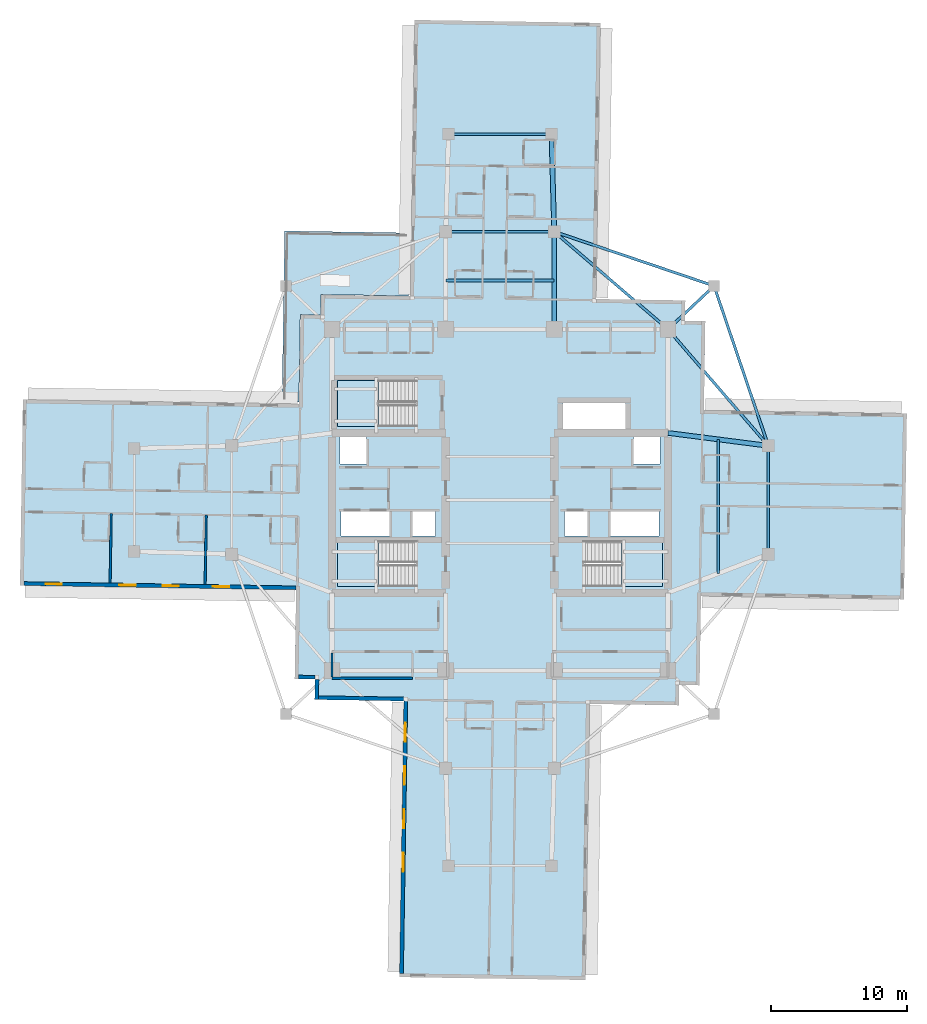
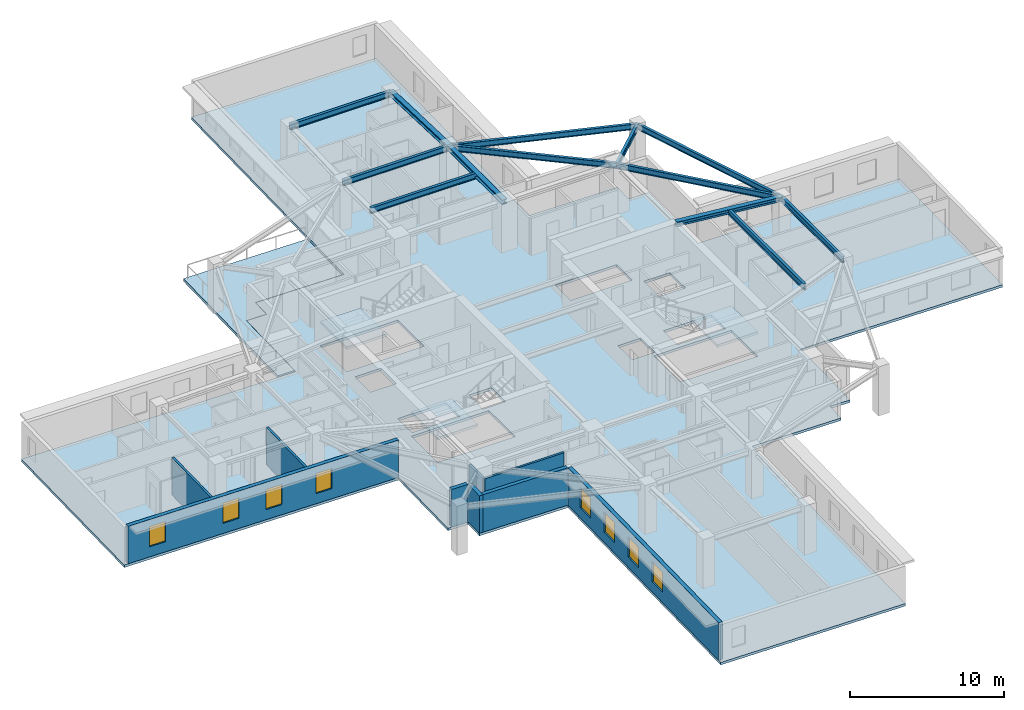
# One storey, part 2 of 13: 13 beams, 9 walls, 8 windows, 5 slabs, 8 openings, 3 elements without a shape of their own.
"""IFC4 building model written with IfcOpenShell, lengths in metres."""

from ifc_helpers import new_model, si_unit, direction, frame, frame_2d, origin, origin_2d, place, context, subcontext, project, spatial, polyline, rectangle, i_section, outline, extrude, material, layer, layer_set, material_profile, profile_set, type_object, element, fill, aggregate, save


model = new_model("IFC4")

# Units and contexts
model_context = context("Model", 3, precision=1e-05, world=origin(), true_north=direction((0.0, 1.0)))
body_context = subcontext(model_context, "Body", "Model", "MODEL_VIEW")
ifc_project = project(units=[si_unit("LENGTHUNIT", "METRE"), si_unit("AREAUNIT", "SQUARE_METRE"), si_unit("VOLUMEUNIT", "CUBIC_METRE"), si_unit("PLANEANGLEUNIT", "RADIAN"), si_unit("MASSUNIT", "GRAM", prefix="KILO")], contexts=[model_context])

# Site, building, storey
site_placement = place(None, origin())
site = spatial("IfcSite", under=ifc_project, at=site_placement, CompositionType="ELEMENT")
building_placement = place(site_placement, origin())
building = spatial("IfcBuilding", under=site, at=building_placement, Name="Qingluan Cross Belvedere", CompositionType="ELEMENT")
storey_placement = place(building_placement, frame((0.0, 0.0, 148.800048828125)))
storey = spatial("IfcBuildingStorey", under=building, at=storey_placement, Name="L37", CompositionType="ELEMENT", Elevation=148.800048828125)

# Beams
ifc_material_1 = material(Name="Steel Q420GJB", Category="steel")
ifc_material_profile_1 = material_profile(ifc_material_1, i_section(OverallWidth=0.199951171875, OverallDepth=0.449951171875, WebThickness=0.009033203125, FlangeThickness=0.013916015625, FilletRadius=0.01611328125, at=origin_2d()), Name="HN450x200x9x14")
ifc_profile_set_1 = profile_set([ifc_material_profile_1], Name="Steel Q420GJB")
beam_type_1 = type_object("IfcBeamType", Name="Steel_Beam_HN450x200x9x14", PredefinedType="JOIST", material=ifc_profile_set_1)
beam_1_placement = place(storey_placement, frame((12.39990234375, 12.60009765625, 3.474853515625), z_axis=(0.728219948308, 0.685343495546, 0.0), x_axis=(-0.685343495546, 0.728219948308, 0.0)))
element("IfcBeam", 1, at=beam_1_placement, inside=storey, type_object=beam_type_1, Name="Corner beam 1 L37-RNE", PredefinedType="JOIST", context=body_context, shape_type="SweptSolid", body=[
    extrude(i_section(OverallWidth=0.199951171875, OverallDepth=0.449951171875, WebThickness=0.009033203125, FlangeThickness=0.013916015625, FilletRadius=0.01611328125, at=origin_2d()), origin(), (0.0, 0.0, 1.0), 4.669189453125),
])
for number, where, z_axis, x_axis, name in (
    (2, (15.800048828125, 15.800048828125, 3.474853515625), (-0.947066283324, 0.321038089628, 0.0), (-0.321038089628, -0.947066283324, 0.0), "Corner beam 2 L37-RNE"),
    (3, (15.800048828125, 15.800048828125, 3.474853515625), (0.321038089628, -0.947066283324, 0.0), (0.947066283324, 0.321038089628, 0.0), "Corner beam 3 L37-RNE"),
):
    element("IfcBeam", number, at=place(storey_placement, frame(where, z_axis=z_axis, x_axis=x_axis)), inside=storey, type_object=beam_type_1, Name=name, PredefinedType="JOIST", context=body_context, shape_type="SweptSolid", body=[
        extrude(i_section(OverallWidth=0.199951171875, OverallDepth=0.449951171875, WebThickness=0.009033203125, FlangeThickness=0.013916015625, FilletRadius=0.01611328125, at=origin_2d()), origin(), (0.0, 0.0, 1.0), 12.45947265625),
    ])
beam_2_placement = place(storey_placement, frame((12.39990234375, 12.60009765625, 3.474853515625), z_axis=(0.652245077546, -0.75800815221, 0.0), x_axis=(0.75800815221, 0.652245077546, 0.0)))
element("IfcBeam", 4, at=beam_2_placement, inside=storey, type_object=beam_type_1, Name="Corner beam 4 L37-RNE", PredefinedType="JOIST", context=body_context, shape_type="SweptSolid", body=[
    extrude(i_section(OverallWidth=0.199951171875, OverallDepth=0.449951171875, WebThickness=0.009033203125, FlangeThickness=0.013916015625, FilletRadius=0.01611328125, at=origin_2d()), origin(), (0.0, 0.0, 1.0), 11.345703125),
])
beam_3_placement = place(storey_placement, frame((12.39990234375, 12.60009765625, 3.474853515625), z_axis=(-0.759255044656, 0.650793190779, 0.0), x_axis=(-0.650793190779, -0.759255044656, 0.0)))
element("IfcBeam", 5, at=beam_3_placement, inside=storey, type_object=beam_type_1, Name="Corner beam 5 L37-RNE", PredefinedType="JOIST", context=body_context, shape_type="SweptSolid", body=[
    extrude(i_section(OverallWidth=0.199951171875, OverallDepth=0.449951171875, WebThickness=0.009033203125, FlangeThickness=0.013916015625, FilletRadius=0.01611328125, at=origin_2d()), origin(), (0.0, 0.0, 1.0), 11.063232421875),
])
beam_4_placement = place(storey_placement, frame((19.800048828125, -4.0, 3.474853515625), z_axis=(0.0, 1.0, 0.0), x_axis=(-1.0, 0.0, 0.0)))
element("IfcBeam", 6, at=beam_4_placement, inside=storey, type_object=beam_type_1, Name="Arm E tie L37", PredefinedType="JOIST", context=body_context, shape_type="SweptSolid", body=[
    extrude(i_section(OverallWidth=0.199951171875, OverallDepth=0.449951171875, WebThickness=0.009033203125, FlangeThickness=0.013916015625, FilletRadius=0.01611328125, at=origin_2d()), origin(), (0.0, 0.0, 1.0), 8.0),
])
beam_5_placement = place(storey_placement, frame((16.10009765625, -5.425048828125, 3.474853515625), z_axis=(0.0, 1.0, 0.0), x_axis=(-1.0, 0.0, 0.0)))
element("IfcBeam", 7, at=beam_5_placement, inside=storey, type_object=beam_type_1, Name="Arm E beam L37", PredefinedType="JOIST", context=body_context, shape_type="SweptSolid", body=[
    extrude(i_section(OverallWidth=0.199951171875, OverallDepth=0.449951171875, WebThickness=0.009033203125, FlangeThickness=0.013916015625, FilletRadius=0.01611328125, at=origin_2d()), origin(), (0.0, 0.0, 1.0), 9.900146484375),
])
for number, where, z_axis, x_axis, name in (
    (8, (-4.0, 19.800048828125, 3.474853515625), (1.0, 0.0, 0.0), (0.0, 1.0, 0.0), "Arm N tie L37"),
    (9, (-4.0, 16.199951171875, 3.474853515625), (1.0, 0.0, 0.0), (0.0, 1.0, 0.0), "Arm N beam L37"),
):
    element("IfcBeam", number, at=place(storey_placement, frame(where, z_axis=z_axis, x_axis=x_axis)), inside=storey, type_object=beam_type_1, Name=name, PredefinedType="JOIST", context=body_context, shape_type="SweptSolid", body=[
        extrude(i_section(OverallWidth=0.199951171875, OverallDepth=0.449951171875, WebThickness=0.009033203125, FlangeThickness=0.013916015625, FilletRadius=0.01611328125, at=origin_2d()), origin(), (0.0, 0.0, 1.0), 8.0),
    ])
beam_6_placement = place(storey_placement, frame((-3.800048828125, 27.0, 3.474853515625), z_axis=(1.0, 0.0, 0.0), x_axis=(0.0, 1.0, 0.0)))
element("IfcBeam", 10, at=beam_6_placement, inside=storey, type_object=beam_type_1, Name="Arm N tip transverse beam L37", PredefinedType="JOIST", context=body_context, shape_type="SweptSolid", body=[
    extrude(i_section(OverallWidth=0.199951171875, OverallDepth=0.449951171875, WebThickness=0.009033203125, FlangeThickness=0.013916015625, FilletRadius=0.01611328125, at=origin_2d()), origin(), (0.0, 0.0, 1.0), 7.60009765625),
])
ifc_material_2 = material(Name="Steel Q420GJB", Category="steel")
ifc_material_profile_2 = material_profile(ifc_material_2, i_section(OverallWidth=0.35009765625, OverallDepth=0.35009765625, WebThickness=0.011962890625, FlangeThickness=0.01904296875, FilletRadius=0.02001953125, at=origin_2d()), Name="HW350x350x12x19")
ifc_profile_set_2 = profile_set([ifc_material_profile_2], Name="Steel Q420GJB")
beam_type_2 = type_object("IfcBeamType", Name="Steel_Girder_HW350x350x12x19", PredefinedType="USERDEFINED", material=ifc_profile_set_2)
beam_7_placement = place(storey_placement, frame((12.39990234375, 4.949951171875, 3.52490234375), z_axis=(0.991861120628, -0.12732445714, 0.0), x_axis=(0.12732445714, 0.991861120628, 0.0)))
element("IfcBeam", 11, at=beam_7_placement, inside=storey, type_object=beam_type_2, Name="Arm E radial girder B L37", ObjectType="GIRDER", PredefinedType="USERDEFINED", context=body_context, shape_type="SweptSolid", body=[
    extrude(i_section(OverallWidth=0.35009765625, OverallDepth=0.35009765625, WebThickness=0.011962890625, FlangeThickness=0.01904296875, FilletRadius=0.02001953125, at=origin_2d()), origin(), (0.0, 0.0, 1.0), 7.4609375),
])
beam_8_placement = place(storey_placement, frame((4.0, 12.60009765625, 3.52490234375), z_axis=(0.0, 1.0, 0.0), x_axis=(-1.0, 0.0, 0.0)))
element("IfcBeam", 12, at=beam_8_placement, inside=storey, type_object=beam_type_2, Name="Arm N radial girder B L37", ObjectType="GIRDER", PredefinedType="USERDEFINED", context=body_context, shape_type="SweptSolid", body=[
    extrude(i_section(OverallWidth=0.35009765625, OverallDepth=0.35009765625, WebThickness=0.011962890625, FlangeThickness=0.01904296875, FilletRadius=0.02001953125, at=origin_2d()), origin(), (0.0, 0.0, 1.0), 7.199951171875),
])
beam_9_placement = place(storey_placement, frame((4.0, 19.800048828125, 3.52490234375), z_axis=(-0.027760481514, 0.999614603568, 0.0), x_axis=(-0.999614603568, -0.027760481514, 0.0)))
element("IfcBeam", 13, at=beam_9_placement, inside=storey, type_object=beam_type_2, Name="Arm N outer radial girder B L37", ObjectType="GIRDER", PredefinedType="USERDEFINED", context=body_context, shape_type="SweptSolid", body=[
    extrude(i_section(OverallWidth=0.35009765625, OverallDepth=0.35009765625, WebThickness=0.011962890625, FlangeThickness=0.01904296875, FilletRadius=0.02001953125, at=origin_2d()), origin(), (0.0, 0.0, 1.0), 7.20263671875),
])

# Slab
ifc_material_3 = material(Name="Concrete C40", Category="concrete")
ifc_layer_1 = layer(ifc_material_3, 0.199951171875, Name="FloorSlab_200")
ifc_layer_set_1 = layer_set([ifc_layer_1], Name="Concrete C40")
slab_type_1 = type_object("IfcSlabType", Name="FloorSlab_200", PredefinedType="FLOOR", material=ifc_layer_set_1)
slab_1_placement = place(storey_placement, frame((0.0, 0.0, -0.199951171875)))
element("IfcSlab", 14, at=slab_1_placement, inside=storey, type_object=slab_type_1, Name="Structural floor slab L37", PredefinedType="FLOOR", context=body_context, shape_type="SweptSolid", body=[
    extrude(outline(polyline([(6.304443359375, -35.42333984375), (6.62451171875, -15.0458984375), (13.20361328125, -15.1494140625), (13.227294921875, -13.6494140625), (14.72705078125, -13.673095703125), (14.830322265625, -7.09375), (29.80859375, -7.3291015625), (30.024169921875, 6.38916015625), (15.0458984375, 6.62451171875), (15.1494140625, 13.20361328125), (13.6494140625, 13.227294921875), (13.673095703125, 14.72705078125), (7.09375, 14.830322265625), (7.413818359375, 35.2080078125), (-6.304443359375, 35.42333984375), (-6.62451171875, 15.0458984375), (-13.20361328125, 15.1494140625), (-13.227294921875, 13.6494140625), (-14.72705078125, 13.673095703125), (-14.830322265625, 7.09375), (-35.2080078125, 7.413818359375), (-35.42333984375, -6.304443359375), (-15.0458984375, -6.62451171875), (-15.1494140625, -13.20361328125), (-13.6494140625, -13.227294921875), (-13.673095703125, -14.72705078125), (-7.09375, -14.830322265625), (-7.413818359375, -35.2080078125), (6.304443359375, -35.42333984375)]), holes=[polyline([(-12.0, -3.0), (-6.179931640625, -3.0), (-6.179931640625, -6.39990234375), (-12.0, -6.39990234375), (-12.0, -3.0)]), polyline([(6.179931640625, -3.0), (12.0, -3.0), (12.0, -6.39990234375), (6.179931640625, -6.39990234375), (6.179931640625, -3.0)]), polyline([(-12.0, 8.820068359375), (-6.179931640625, 8.820068359375), (-6.179931640625, 5.419921875), (-12.0, 5.419921875), (-12.0, 8.820068359375)]), polyline([(-11.800048828125, 4.64990234375), (-9.85009765625, 4.64990234375), (-9.85009765625, 2.64990234375), (-11.800048828125, 2.64990234375), (-11.800048828125, 4.64990234375)]), polyline([(9.85009765625, 4.64990234375), (11.800048828125, 4.64990234375), (11.800048828125, 2.64990234375), (9.85009765625, 2.64990234375), (9.85009765625, 4.64990234375)]), polyline([(-11.75, -0.840087890625), (-8.14990234375, -0.840087890625), (-8.14990234375, -2.659912109375), (-11.75, -2.659912109375), (-11.75, -0.840087890625)]), polyline([(-6.449951171875, -0.840087890625), (-4.75, -0.840087890625), (-4.75, -2.659912109375), (-6.449951171875, -2.659912109375), (-6.449951171875, -0.840087890625)]), polyline([(4.75, -0.840087890625), (6.449951171875, -0.840087890625), (6.449951171875, -2.659912109375), (4.75, -2.659912109375), (4.75, -0.840087890625)]), polyline([(8.14990234375, -0.840087890625), (11.75, -0.840087890625), (11.75, -2.659912109375), (8.14990234375, -2.659912109375), (8.14990234375, -0.840087890625)]), polyline([(4.64990234375, 7.14990234375), (9.25, 7.14990234375), (9.25, 5.14990234375), (4.64990234375, 5.14990234375), (4.64990234375, 7.14990234375)])]), origin(), (0.0, 0.0, 1.0), 0.199951171875),
])

# Stair, slab
ifc_material_4 = material(Name="Concrete C40", Category="concrete")
stair_type = type_object("IfcStairType", Name="CoreDoglegStair_1620", PredefinedType="HALF_TURN_STAIR", material=ifc_material_4)
stair_1_placement = place(storey_placement, origin())
stair_1 = element("IfcStair", 15, at=stair_1_placement, inside=storey, type_object=stair_type, Name="L37 ST1", PredefinedType="HALF_TURN_STAIR")
ifc_material_5 = material(Name="Concrete C40", Category="concrete")
ifc_layer_2 = layer(ifc_material_5, 0.179931640625, Name="StairLandingSlab_180")
ifc_layer_set_2 = layer_set([ifc_layer_2], Name="Concrete C40")
slab_type_2 = type_object("IfcSlabType", Name="StairLandingSlab_180", PredefinedType="LANDING", material=ifc_layer_set_2)
slab_2_placement = place(storey_placement, frame((0.0, 0.0, 1.75)))
slab_2 = element("IfcSlab", 16, at=slab_2_placement, type_object=slab_type_2, Name="ST1 landing 1", PredefinedType="LANDING", context=body_context, shape_type="SweptSolid", body=[
    extrude(outline(polyline([(-8.97998046875, -3.0), (-12.0, -3.0), (-12.0, -6.39990234375), (-8.97998046875, -6.39990234375), (-8.97998046875, -3.0)])), origin(), (0.0, 0.0, 1.0), 0.199951171875),
])
aggregate(stair_1, [slab_2])

stair_2_placement = place(storey_placement, origin())
stair_2 = element("IfcStair", 17, at=stair_2_placement, inside=storey, type_object=stair_type, Name="L37 ST2", PredefinedType="HALF_TURN_STAIR")
slab_3_placement = place(storey_placement, frame((0.0, 0.0, 1.75)))
slab_3 = element("IfcSlab", 18, at=slab_3_placement, type_object=slab_type_2, Name="ST2 landing 1", PredefinedType="LANDING", context=body_context, shape_type="SweptSolid", body=[
    extrude(outline(polyline([(8.97998046875, -6.39990234375), (12.0, -6.39990234375), (12.0, -3.0), (8.97998046875, -3.0), (8.97998046875, -6.39990234375)])), origin(), (0.0, 0.0, 1.0), 0.199951171875),
])
aggregate(stair_2, [slab_3])

stair_3_placement = place(storey_placement, origin())
stair_3 = element("IfcStair", 19, at=stair_3_placement, inside=storey, type_object=stair_type, Name="L37 ST3", PredefinedType="HALF_TURN_STAIR")
slab_4_placement = place(storey_placement, frame((0.0, 0.0, 1.75)))
slab_4 = element("IfcSlab", 20, at=slab_4_placement, type_object=slab_type_2, Name="ST3 landing 1", PredefinedType="LANDING", context=body_context, shape_type="SweptSolid", body=[
    extrude(outline(polyline([(-8.97998046875, 8.820068359375), (-12.0, 8.820068359375), (-12.0, 5.419921875), (-8.97998046875, 5.419921875), (-8.97998046875, 8.820068359375)])), origin(), (0.0, 0.0, 1.0), 0.199951171875),
])
aggregate(stair_3, [slab_4])

# Slab
ifc_material_6 = material(Name="Concrete C40", Category="concrete")
ifc_layer_3 = layer(ifc_material_6, 0.219970703125, Name="TerraceSlab_220")
ifc_layer_set_3 = layer_set([ifc_layer_3], Name="Concrete C40")
slab_type_3 = type_object("IfcSlabType", Name="TerraceSlab_220", PredefinedType="FLOOR", material=ifc_layer_set_3)
slab_5_placement = place(storey_placement, frame((0.0, 0.0, -0.219970703125)))
element("IfcSlab", 21, at=slab_5_placement, inside=storey, type_object=slab_type_3, Name="Spiralling winter-garden terrace slab L37", PredefinedType="FLOOR", context=body_context, shape_type="SweptSolid", body=[
    extrude(outline(polyline([(-14.838134765625, 7.23388671875), (-14.7353515625, 13.6787109375), (-13.237060546875, 13.65966796875), (-13.213623046875, 15.1494140625), (-13.20556640625, 15.1591796875), (-6.764404296875, 15.05810546875), (-6.69140625, 19.70751953125), (-15.89013671875, 19.85205078125), (-16.088134765625, 7.253662109375), (-14.838134765625, 7.23388671875)])), origin(), (0.0, 0.0, 1.0), 0.219970703125),
])

# Walls
ifc_material_7 = material(Name="Gypsum plasterboard on steel stud acoustic partition", Category="steel")
ifc_layer_4 = layer(ifc_material_7, 0.159912109375, Name="CorridorPartition_160")
ifc_layer_set_4 = layer_set([ifc_layer_4], Name="Gypsum plasterboard on steel stud acoustic partition")
wall_type_1 = type_object("IfcWallType", Name="CorridorPartition_160", PredefinedType="PARTITIONING", material=ifc_layer_set_4)
wall_1_placement = place(storey_placement, frame((-12.39990234375, -13.14990234375, 0.0), z_axis=(0.0, 0.0, 1.0), x_axis=(1.0, 0.0, 0.0)))
element("IfcWall", 22, at=wall_1_placement, inside=storey, type_object=wall_type_1, Name="Partition L37:q_sw1:S", PredefinedType="PARTITIONING", context=body_context, shape_type="SweptSolid", body=[
    extrude(rectangle(XDim=5.949951171875, YDim=0.159912109375, at=frame_2d((2.97509765625, 0.0))), origin(), (0.0, 0.0, 1.0), 2.9599609375),
])
wall_2_placement = place(storey_placement, frame((-12.39990234375, -13.06494140625, 0.0), z_axis=(0.0, 0.0, 1.0), x_axis=(0.0, 1.0, 0.0)))
element("IfcWall", 23, at=wall_2_placement, inside=storey, type_object=wall_type_1, Name="Partition L37:q_sw1:W", PredefinedType="PARTITIONING", context=body_context, shape_type="SweptSolid", body=[
    extrude(rectangle(XDim=1.780029296875, YDim=0.159912109375, at=frame_2d((0.89013671875, 0.0))), origin(), (0.0, 0.0, 1.0), 2.9599609375),
])
for number, where, z_axis, x_axis, name in (
    (24, (-21.680908203125, -1.099609375, 0.0), (0.0, 0.0, 1.0), (-0.015746453592, -0.999876016914, 0.0), "Partition L37:W:d1_0"),
    (25, (-28.693115234375, -0.989501953125, 0.0), (0.0, 0.0, 1.0), (-0.015698892967, -0.999876764786, 0.0), "Partition L37:W:d1_1"),
):
    element("IfcWall", number, at=place(storey_placement, frame(where, z_axis=z_axis, x_axis=x_axis)), inside=storey, type_object=wall_type_1, Name=name, PredefinedType="PARTITIONING", context=body_context, shape_type="SweptSolid", body=[
        extrude(rectangle(XDim=5.132080078125, YDim=0.159912109375, at=frame_2d((2.56591796875, 0.0))), origin(), (0.0, 0.0, 1.0), 2.9599609375),
    ])

# Wall, openings, windows
ifc_material_8 = material(Name="Precast concrete C45", Category="concrete")
ifc_layer_5 = layer(ifc_material_8, 0.280029296875, Name="PrecastFacadeWall_280")
ifc_layer_set_5 = layer_set([ifc_layer_5], Name="Precast concrete C45")
wall_type_2 = type_object("IfcWallType", Name="PrecastFacadeWall_280", PredefinedType="STANDARD", material=ifc_layer_set_5)
wall_3_placement = place(storey_placement, frame((-35.14111328125, -6.168701171875, 0.0), z_axis=(0.0, 0.0, 1.0), x_axis=(0.999876474133, -0.01571739401, 0.0)))
wall_3 = element("IfcWall", 26, at=wall_3_placement, inside=storey, type_object=wall_type_2, Name="Facade wall L37-WB", PredefinedType="STANDARD", context=body_context, shape_type="SweptSolid", body=[
    extrude(rectangle(XDim=20.099853515625, YDim=0.280029296875, at=frame_2d((10.0498046875, 0.0))), origin(), (0.0, 0.0, 1.0), 2.969970703125),
])
opening_1_placement = place(wall_3_placement, frame((1.60009765625, 0.0, 0.800048828125)))
opening_1 = element("IfcOpeningElement", 27, at=opening_1_placement, cuts=wall_3, Name="Opening W-02", PredefinedType="OPENING", context=body_context, shape_type="SweptSolid", body=[
    extrude(rectangle(XDim=1.199951171875, YDim=1.60009765625, at=frame_2d((0.60009765625, 0.800048828125))), frame((0.0, 0.14990234375, 0.0), z_axis=(0.0, -1.0, 0.0), x_axis=(1.0, 0.0, 0.0)), (0.0, 0.0, 1.0), 0.300048828125),
])
opening_2_placement = place(wall_3_placement, frame((7.050048828125, 0.0, 0.800048828125)))
opening_2 = element("IfcOpeningElement", 28, at=opening_2_placement, cuts=wall_3, Name="Opening W-02", PredefinedType="OPENING", context=body_context, shape_type="SweptSolid", body=[
    extrude(rectangle(XDim=1.199951171875, YDim=1.60009765625, at=frame_2d((0.60009765625, 0.800048828125))), frame((0.0, 0.14990234375, 0.0), z_axis=(0.0, -1.0, 0.0), x_axis=(1.0, 0.0, 0.0)), (0.0, 0.0, 1.0), 0.300048828125),
])
opening_3_placement = place(wall_3_placement, frame((10.25, 0.0, 0.800048828125)))
opening_3 = element("IfcOpeningElement", 29, at=opening_3_placement, cuts=wall_3, Name="Opening W-02", PredefinedType="OPENING", context=body_context, shape_type="SweptSolid", body=[
    extrude(rectangle(XDim=1.199951171875, YDim=1.60009765625, at=frame_2d((0.60009765625, 0.800048828125))), frame((0.0, 0.14990234375, 0.0), z_axis=(0.0, -1.0, 0.0), x_axis=(1.0, 0.0, 0.0)), (0.0, 0.0, 1.0), 0.300048828125),
])
opening_4_placement = place(wall_3_placement, frame((13.949951171875, 0.0, 0.800048828125)))
opening_4 = element("IfcOpeningElement", 30, at=opening_4_placement, cuts=wall_3, Name="Opening W-02", PredefinedType="OPENING", context=body_context, shape_type="SweptSolid", body=[
    extrude(rectangle(XDim=1.199951171875, YDim=1.60009765625, at=frame_2d((0.60009765625, 0.800048828125))), frame((0.0, 0.14990234375, 0.0), z_axis=(0.0, -1.0, 0.0), x_axis=(1.0, 0.0, 0.0)), (0.0, 0.0, 1.0), 0.300048828125),
])
ifc_material_9 = material(Name="Thermally broken triple Low-E glass in aluminium frame", Category="aluminium")
window_type_1 = type_object("IfcWindowType", Name="TriRibbonWin_1200x1600", PartitioningType="SINGLE_PANEL", PredefinedType="WINDOW", material=ifc_material_9)
window_1_placement = place(opening_1_placement, origin())
window_1 = element("IfcWindow", 31, at=window_1_placement, inside=storey, type_object=window_type_1, Name="Ribbon window L37-WB-1", OverallHeight=1.60009765625, OverallWidth=1.199951171875, PartitioningType="SINGLE_PANEL", PredefinedType="WINDOW", context=body_context, shape_type="SweptSolid", body=[
    extrude(rectangle(XDim=1.199951171875, YDim=1.60009765625, at=frame_2d((0.60009765625, 0.800048828125))), frame((0.0, 0.030029296875, 0.0), z_axis=(0.0, -1.0, 0.0), x_axis=(1.0, 0.0, 0.0)), (0.0, 0.0, 1.0), 0.06005859375),
])
fill(opening_1, window_1)
window_2_placement = place(opening_2_placement, origin())
window_2 = element("IfcWindow", 32, at=window_2_placement, inside=storey, type_object=window_type_1, Name="Ribbon window L37-WB-2", OverallHeight=1.60009765625, OverallWidth=1.199951171875, PartitioningType="SINGLE_PANEL", PredefinedType="WINDOW", context=body_context, shape_type="SweptSolid", body=[
    extrude(rectangle(XDim=1.199951171875, YDim=1.60009765625, at=frame_2d((0.60009765625, 0.800048828125))), frame((0.0, 0.030029296875, 0.0), z_axis=(0.0, -1.0, 0.0), x_axis=(1.0, 0.0, 0.0)), (0.0, 0.0, 1.0), 0.06005859375),
])
fill(opening_2, window_2)
window_3_placement = place(opening_3_placement, origin())
window_3 = element("IfcWindow", 33, at=window_3_placement, inside=storey, type_object=window_type_1, Name="Ribbon window L37-WB-3", OverallHeight=1.60009765625, OverallWidth=1.199951171875, PartitioningType="SINGLE_PANEL", PredefinedType="WINDOW", context=body_context, shape_type="SweptSolid", body=[
    extrude(rectangle(XDim=1.199951171875, YDim=1.60009765625, at=frame_2d((0.60009765625, 0.800048828125))), frame((0.0, 0.030029296875, 0.0), z_axis=(0.0, -1.0, 0.0), x_axis=(1.0, 0.0, 0.0)), (0.0, 0.0, 1.0), 0.06005859375),
])
fill(opening_3, window_3)
window_4_placement = place(opening_4_placement, origin())
window_4 = element("IfcWindow", 34, at=window_4_placement, inside=storey, type_object=window_type_1, Name="Ribbon window L37-WB-4", OverallHeight=1.60009765625, OverallWidth=1.199951171875, PartitioningType="SINGLE_PANEL", PredefinedType="WINDOW", context=body_context, shape_type="SweptSolid", body=[
    extrude(rectangle(XDim=1.199951171875, YDim=1.60009765625, at=frame_2d((0.60009765625, 0.800048828125))), frame((0.0, 0.030029296875, 0.0), z_axis=(0.0, -1.0, 0.0), x_axis=(1.0, 0.0, 0.0)), (0.0, 0.0, 1.0), 0.06005859375),
])
fill(opening_4, window_4)

wall_4_placement = place(storey_placement, frame((-6.953857421875, -14.83251953125, 0.0), z_axis=(0.0, 0.0, 1.0), x_axis=(-0.015705059908, -0.999876667941, 0.0)))
wall_4 = element("IfcWall", 35, at=wall_4_placement, inside=storey, type_object=wall_type_2, Name="Facade wall L37-SA", PredefinedType="STANDARD", context=body_context, shape_type="SweptSolid", body=[
    extrude(rectangle(XDim=20.10009765625, YDim=0.280029296875, at=frame_2d((10.050048828125, 0.0))), origin(), (0.0, 0.0, 1.0), 2.969970703125),
])
opening_5_placement = place(wall_4_placement, frame((1.60009765625, 0.0, 0.800048828125)))
opening_5 = element("IfcOpeningElement", 36, at=opening_5_placement, cuts=wall_4, Name="Opening W-01", PredefinedType="OPENING", context=body_context, shape_type="SweptSolid", body=[
    extrude(rectangle(XDim=1.39990234375, YDim=1.60009765625, at=frame_2d((0.699951171875, 0.800048828125))), frame((0.0, 0.14990234375, 0.0), z_axis=(0.0, -1.0, 0.0), x_axis=(1.0, 0.0, 0.0)), (0.0, 0.0, 1.0), 0.300048828125),
])
opening_6_placement = place(wall_4_placement, frame((4.800048828125, 0.0, 0.800048828125)))
opening_6 = element("IfcOpeningElement", 37, at=opening_6_placement, cuts=wall_4, Name="Opening W-01", PredefinedType="OPENING", context=body_context, shape_type="SweptSolid", body=[
    extrude(rectangle(XDim=1.39990234375, YDim=1.60009765625, at=frame_2d((0.699951171875, 0.800048828125))), frame((0.0, 0.14990234375, 0.0), z_axis=(0.0, -1.0, 0.0), x_axis=(1.0, 0.0, 0.0)), (0.0, 0.0, 1.0), 0.300048828125),
])
opening_7_placement = place(wall_4_placement, frame((8.0, 0.0, 0.800048828125)))
opening_7 = element("IfcOpeningElement", 38, at=opening_7_placement, cuts=wall_4, Name="Opening W-01", PredefinedType="OPENING", context=body_context, shape_type="SweptSolid", body=[
    extrude(rectangle(XDim=1.39990234375, YDim=1.60009765625, at=frame_2d((0.699951171875, 0.800048828125))), frame((0.0, 0.14990234375, 0.0), z_axis=(0.0, -1.0, 0.0), x_axis=(1.0, 0.0, 0.0)), (0.0, 0.0, 1.0), 0.300048828125),
])
opening_8_placement = place(wall_4_placement, frame((11.199951171875, 0.0, 0.800048828125)))
opening_8 = element("IfcOpeningElement", 39, at=opening_8_placement, cuts=wall_4, Name="Opening W-01", PredefinedType="OPENING", context=body_context, shape_type="SweptSolid", body=[
    extrude(rectangle(XDim=1.39990234375, YDim=1.60009765625, at=frame_2d((0.699951171875, 0.800048828125))), frame((0.0, 0.14990234375, 0.0), z_axis=(0.0, -1.0, 0.0), x_axis=(1.0, 0.0, 0.0)), (0.0, 0.0, 1.0), 0.300048828125),
])
ifc_material_10 = material(Name="Thermally broken triple Low-E glass in aluminium frame", Category="aluminium")
window_type_2 = type_object("IfcWindowType", Name="TriRibbonWin_1400x1600", PartitioningType="SINGLE_PANEL", PredefinedType="WINDOW", material=ifc_material_10)
window_5_placement = place(opening_5_placement, origin())
window_5 = element("IfcWindow", 40, at=window_5_placement, inside=storey, type_object=window_type_2, Name="Ribbon window L37-SA-1", OverallHeight=1.60009765625, OverallWidth=1.39990234375, PartitioningType="SINGLE_PANEL", PredefinedType="WINDOW", context=body_context, shape_type="SweptSolid", body=[
    extrude(rectangle(XDim=1.39990234375, YDim=1.60009765625, at=frame_2d((0.699951171875, 0.800048828125))), frame((0.0, 0.030029296875, 0.0), z_axis=(0.0, -1.0, 0.0), x_axis=(1.0, 0.0, 0.0)), (0.0, 0.0, 1.0), 0.06005859375),
])
fill(opening_5, window_5)
window_6_placement = place(opening_6_placement, origin())
window_6 = element("IfcWindow", 41, at=window_6_placement, inside=storey, type_object=window_type_2, Name="Ribbon window L37-SA-2", OverallHeight=1.60009765625, OverallWidth=1.39990234375, PartitioningType="SINGLE_PANEL", PredefinedType="WINDOW", context=body_context, shape_type="SweptSolid", body=[
    extrude(rectangle(XDim=1.39990234375, YDim=1.60009765625, at=frame_2d((0.699951171875, 0.800048828125))), frame((0.0, 0.030029296875, 0.0), z_axis=(0.0, -1.0, 0.0), x_axis=(1.0, 0.0, 0.0)), (0.0, 0.0, 1.0), 0.06005859375),
])
fill(opening_6, window_6)
window_7_placement = place(opening_7_placement, origin())
window_7 = element("IfcWindow", 42, at=window_7_placement, inside=storey, type_object=window_type_2, Name="Ribbon window L37-SA-3", OverallHeight=1.60009765625, OverallWidth=1.39990234375, PartitioningType="SINGLE_PANEL", PredefinedType="WINDOW", context=body_context, shape_type="SweptSolid", body=[
    extrude(rectangle(XDim=1.39990234375, YDim=1.60009765625, at=frame_2d((0.699951171875, 0.800048828125))), frame((0.0, 0.030029296875, 0.0), z_axis=(0.0, -1.0, 0.0), x_axis=(1.0, 0.0, 0.0)), (0.0, 0.0, 1.0), 0.06005859375),
])
fill(opening_7, window_7)
window_8_placement = place(opening_8_placement, origin())
window_8 = element("IfcWindow", 43, at=window_8_placement, inside=storey, type_object=window_type_2, Name="Ribbon window L37-SA-4", OverallHeight=1.60009765625, OverallWidth=1.39990234375, PartitioningType="SINGLE_PANEL", PredefinedType="WINDOW", context=body_context, shape_type="SweptSolid", body=[
    extrude(rectangle(XDim=1.39990234375, YDim=1.60009765625, at=frame_2d((0.699951171875, 0.800048828125))), frame((0.0, 0.030029296875, 0.0), z_axis=(0.0, -1.0, 0.0), x_axis=(1.0, 0.0, 0.0)), (0.0, 0.0, 1.0), 0.06005859375),
])
fill(opening_8, window_8)

# Walls
wall_5_placement = place(storey_placement, frame((-14.8671875, -13.068115234375, 0.0), z_axis=(0.0, 0.0, 1.0), x_axis=(0.999875053502, -0.015807510352, 0.0)))
element("IfcWall", 44, at=wall_5_placement, inside=storey, type_object=wall_type_2, Name="Corner wall L37-SW2", PredefinedType="STANDARD", context=body_context, shape_type="SweptSolid", body=[
    extrude(rectangle(XDim=1.22021484375, YDim=0.280029296875, at=frame_2d((0.610107421875, 0.0))), origin(), (0.0, 0.0, 1.0), 2.969970703125),
])
wall_6_placement = place(storey_placement, frame((-13.509521484375, -13.2294921875, 0.0), z_axis=(0.0, 0.0, 1.0), x_axis=(-0.015625635615, -0.999877912303, 0.0)))
element("IfcWall", 45, at=wall_6_placement, inside=storey, type_object=wall_type_2, Name="Corner wall L37-SW3", PredefinedType="STANDARD", context=body_context, shape_type="SweptSolid", body=[
    extrude(rectangle(XDim=1.5, YDim=0.280029296875, at=frame_2d((0.75, 0.0))), origin(), (0.0, 0.0, 1.0), 2.969970703125),
])
wall_7_placement = place(storey_placement, frame((-13.390869140625, -14.591552734375, 0.0), z_axis=(0.0, 0.0, 1.0), x_axis=(0.999876833368, -0.015694524359, 0.0)))
element("IfcWall", 46, at=wall_7_placement, inside=storey, type_object=wall_type_2, Name="Corner wall L37-SW4", PredefinedType="STANDARD", context=body_context, shape_type="SweptSolid", body=[
    extrude(rectangle(XDim=6.300048828125, YDim=0.280029296875, at=frame_2d((3.14990234375, 0.0))), origin(), (0.0, 0.0, 1.0), 2.969970703125),
])

save(model, "model.ifc")
